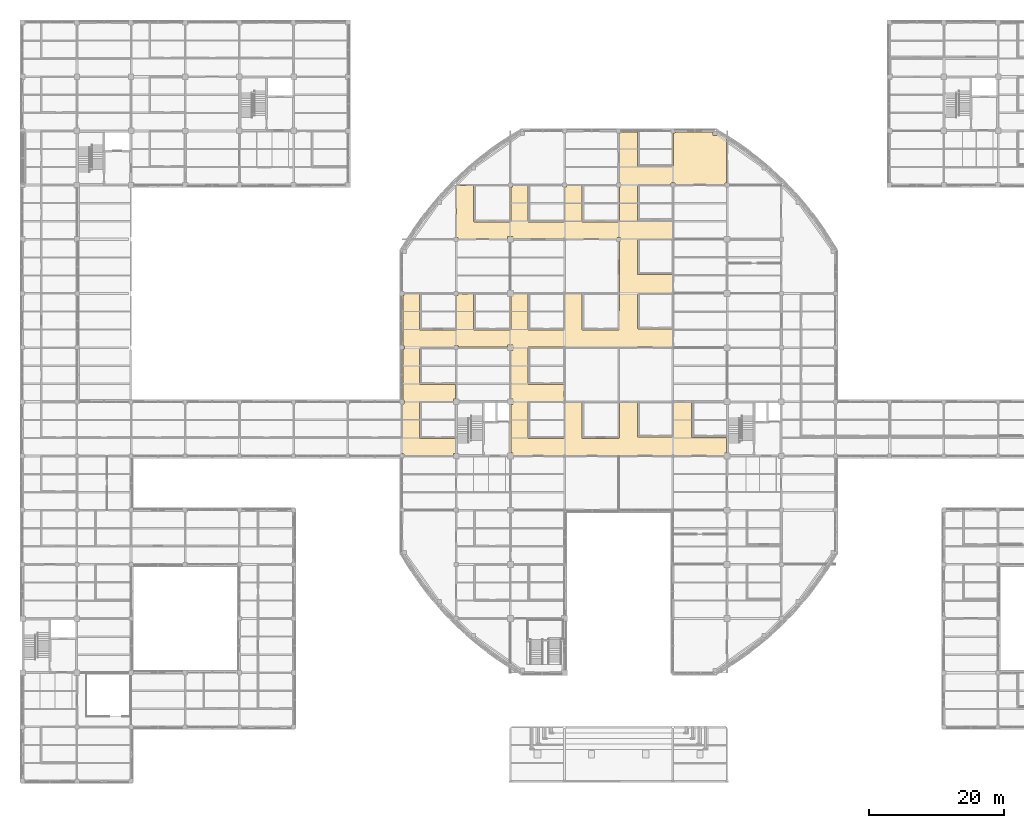
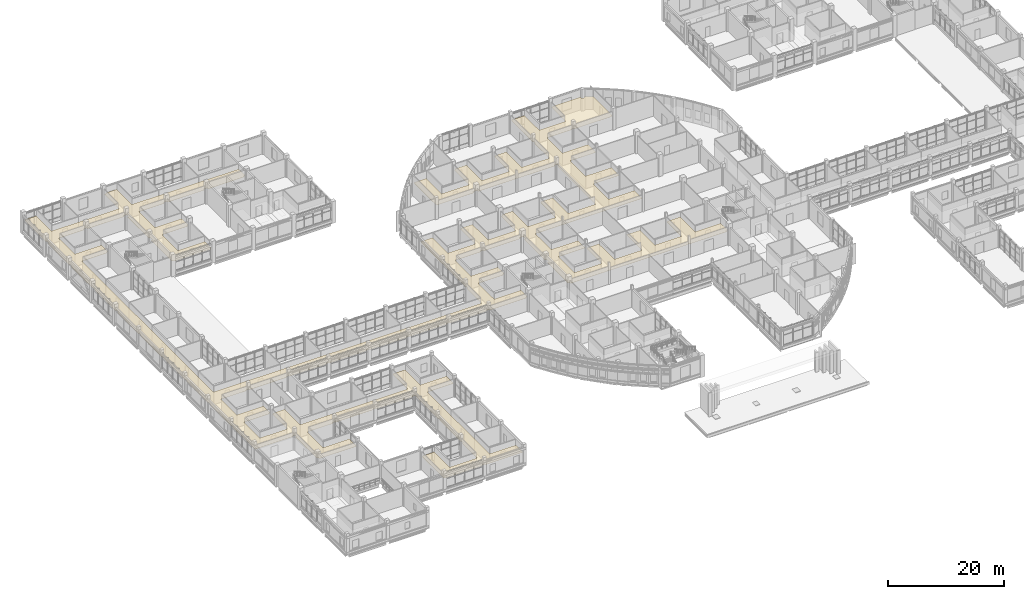
# One storey, part 109 of 121: 1 covering.
"""IFC4 building model written with IfcOpenShell, lengths in metres."""

from ifc_helpers import new_model, si_unit, derived_unit, direction, frame, origin, place, context, subcontext, project, spatial, polyline, outline, extrude, material, layer, layer_set, type_object, element, save


model = new_model("IFC4")

# Units and contexts
model_context = context("Model", 3, precision=1e-05, world=origin(), true_north=direction((0.0, 1.0)))
body_context = subcontext(model_context, "Body", "Model", "MODEL_VIEW")
ifc_project = project(units=[si_unit("LENGTHUNIT", "METRE"), si_unit("AREAUNIT", "SQUARE_METRE"), si_unit("VOLUMEUNIT", "CUBIC_METRE"), si_unit("PLANEANGLEUNIT", "RADIAN"), si_unit("MASSUNIT", "GRAM", prefix="KILO"), derived_unit("THERMALTRANSMITTANCEUNIT", [(si_unit("MASSUNIT", "GRAM", prefix="KILO"), 1), (si_unit("TIMEUNIT", "SECOND"), -3), (si_unit("THERMODYNAMICTEMPERATUREUNIT", "KELVIN"), -1)])], contexts=[model_context])

# Site, building, storey
site_placement = place(None, origin())
site = spatial("IfcSite", under=ifc_project, at=site_placement, CompositionType="ELEMENT")
building_placement = place(site_placement, origin())
building = spatial("IfcBuilding", under=site, at=building_placement, Name="Veyamyaing Civic Hall", CompositionType="ELEMENT")
storey_placement = place(building_placement, frame((0.0, 0.0, 5.280029296875)))
storey = spatial("IfcBuildingStorey", under=building, at=storey_placement, Name="L01", CompositionType="ELEMENT", Elevation=5.280029296875)

# Covering
ifc_material = material(Name="Perforated acoustic gypsum ceiling board")
ifc_layer = layer(ifc_material, 0.02490234375, Name="Perforated acoustic gypsum ceiling board")
ifc_layer_set = layer_set([ifc_layer], Name="Perforated acoustic gypsum ceiling board")
covering_type = type_object("IfcCoveringType", Name="CLG-01", PredefinedType="CEILING", material=ifc_layer_set)
covering_placement = place(storey_placement, frame((0.0, 0.0, 2.699951171875)))
element("IfcCovering", 1, at=covering_placement, inside=storey, type_object=covering_type, Name="Acoustic suspended ceiling CLG-01 L01-C01", PredefinedType="CEILING", context=body_context, shape_type="SweptSolid", body=[
    extrude(outline(polyline([(2.6083984375, 40.06201171875), (2.59228515625, 40.04736328125), (2.581298828125, 40.029296875), (2.574951171875, 39.99755859375), (2.574951171875, 34.652587890625), (2.581298828125, 34.62158203125), (2.597412109375, 34.597412109375), (2.62158203125, 34.581298828125), (2.652587890625, 34.574951171875), (7.99755859375, 34.574951171875), (8.028564453125, 34.581298828125), (8.052734375, 34.597412109375), (8.06884765625, 34.62158203125), (8.074951171875, 34.652587890625), (8.074951171875, 39.715087890625), (8.284912109375, 39.715087890625), (8.284912109375, 39.925048828125), (10.574951171875, 39.925048828125), (10.574951171875, 34.652587890625), (10.581298828125, 34.620849609375), (10.59228515625, 34.6025390625), (10.60791015625, 34.58837890625), (10.635498046875, 34.576904296875), (32.014404296875, 34.576904296875), (32.0419921875, 34.58837890625), (32.057373046875, 34.602294921875), (32.071533203125, 34.62890625), (32.074951171875, 34.65185546875), (32.074951171875, 39.715087890625), (32.284912109375, 39.715087890625), (32.284912109375, 39.844970703125), (34.574951171875, 39.844970703125), (34.574951171875, 34.652587890625), (34.581298828125, 34.62158203125), (34.597412109375, 34.597412109375), (34.62158203125, 34.581298828125), (34.652587890625, 34.574951171875), (39.844970703125, 34.574951171875), (39.844970703125, 32.284912109375), (39.715087890625, 32.284912109375), (39.715087890625, 32.074951171875), (34.65185546875, 32.074951171875), (34.62890625, 32.071533203125), (34.602294921875, 32.057373046875), (34.58837890625, 32.0419921875), (34.576904296875, 32.014404296875), (34.576904296875, 10.635498046875), (34.58837890625, 10.60791015625), (34.6025390625, 10.59228515625), (34.620849609375, 10.581298828125), (34.652587890625, 10.574951171875), (39.844970703125, 10.574951171875), (39.844970703125, 8.284912109375), (39.715087890625, 8.284912109375), (39.715087890625, 8.155029296875), (32.284912109375, 8.155029296875), (32.284912109375, 8.284912109375), (31.715087890625, 8.284912109375), (31.715087890625, 8.155029296875), (24.284912109375, 8.155029296875), (24.284912109375, 8.284912109375), (24.074951171875, 8.284912109375), (24.074951171875, 15.715087890625), (24.284912109375, 15.715087890625), (24.284912109375, 15.844970703125), (26.574951171875, 15.844970703125), (26.574951171875, 10.65185546875), (26.57861328125, 10.627685546875), (26.583984375, 10.61474609375), (26.591796875, 10.60302734375), (26.6083984375, 10.587890625), (26.62841796875, 10.57861328125), (26.65185546875, 10.574951171875), (31.99755859375, 10.574951171875), (32.029296875, 10.581298828125), (32.04736328125, 10.59228515625), (32.06201171875, 10.6083984375), (32.071533203125, 10.62841796875), (32.074951171875, 10.65185546875), (32.074951171875, 15.715087890625), (32.284912109375, 15.715087890625), (32.284912109375, 16.284912109375), (32.155029296875, 16.284912109375), (32.155029296875, 23.715087890625), (32.284912109375, 23.715087890625), (32.284912109375, 24.284912109375), (32.155029296875, 24.284912109375), (32.155029296875, 31.715087890625), (32.284912109375, 31.715087890625), (32.284912109375, 32.284912109375), (31.715087890625, 32.284912109375), (31.715087890625, 32.155029296875), (24.284912109375, 32.155029296875), (24.284912109375, 32.284912109375), (23.715087890625, 32.284912109375), (23.715087890625, 32.155029296875), (16.284912109375, 32.155029296875), (16.284912109375, 32.284912109375), (15.715087890625, 32.284912109375), (15.715087890625, 32.074951171875), (10.65185546875, 32.074951171875), (10.62841796875, 32.071533203125), (10.60791015625, 32.061767578125), (10.597412109375, 32.05322265625), (10.583984375, 32.03515625), (10.576416015625, 32.013916015625), (10.574951171875, 31.998779296875), (10.574951171875, 26.65185546875), (10.57861328125, 26.62841796875), (10.587890625, 26.6083984375), (10.60302734375, 26.591796875), (10.61474609375, 26.583984375), (10.627685546875, 26.57861328125), (10.65185546875, 26.574951171875), (15.844970703125, 26.574951171875), (15.844970703125, 24.284912109375), (15.715087890625, 24.284912109375), (15.715087890625, 24.074951171875), (8.385009765625, 24.074951171875), (8.385009765625, 24.385009765625), (8.074951171875, 24.385009765625), (8.074951171875, 31.715087890625), (8.284912109375, 31.715087890625), (8.284912109375, 32.284912109375), (7.715087890625, 32.284912109375), (7.715087890625, 32.074951171875), (0.284912109375, 32.074951171875), (0.284912109375, 32.284912109375), (0.155029296875, 32.284912109375), (0.155029296875, 39.715087890625), (0.284912109375, 39.715087890625), (0.284912109375, 40.284912109375), (0.155029296875, 40.284912109375), (0.155029296875, 47.715087890625), (0.284912109375, 47.715087890625), (0.284912109375, 48.284912109375), (0.155029296875, 48.284912109375), (0.155029296875, 55.715087890625), (0.284912109375, 55.715087890625), (0.284912109375, 56.284912109375), (0.155029296875, 56.284912109375), (0.155029296875, 63.715087890625), (0.284912109375, 63.715087890625), (0.284912109375, 64.284912109375), (0.155029296875, 64.284912109375), (0.155029296875, 71.715087890625), (0.284912109375, 71.715087890625), (0.284912109375, 72.284912109375), (0.155029296875, 72.284912109375), (0.155029296875, 79.639892578125), (0.360107421875, 79.639892578125), (0.360107421875, 80.360107421875), (0.155029296875, 80.360107421875), (0.155029296875, 87.639892578125), (0.360107421875, 87.639892578125), (0.360107421875, 88.360107421875), (0.155029296875, 88.360107421875), (0.155029296875, 95.639892578125), (0.360107421875, 95.639892578125), (0.360107421875, 96.360107421875), (0.155029296875, 96.360107421875), (0.155029296875, 103.639892578125), (0.360107421875, 103.639892578125), (0.360107421875, 104.360107421875), (0.155029296875, 104.360107421875), (0.155029296875, 111.639892578125), (0.360107421875, 111.639892578125), (0.360107421875, 111.844970703125), (2.574951171875, 111.844970703125), (2.574951171875, 106.652587890625), (2.581298828125, 106.62158203125), (2.597412109375, 106.597412109375), (2.6220703125, 106.580810546875), (2.643310546875, 106.575439453125), (15.998291015625, 106.574951171875), (16.021728515625, 106.57861328125), (16.04150390625, 106.587890625), (16.057373046875, 106.602294921875), (16.071533203125, 106.62890625), (16.074951171875, 106.65185546875), (16.074951171875, 111.639892578125), (16.360107421875, 111.639892578125), (16.360107421875, 111.844970703125), (18.574951171875, 111.844970703125), (18.574951171875, 106.65185546875), (18.578369140625, 106.62890625), (18.5927734375, 106.602294921875), (18.60791015625, 106.58837890625), (18.635498046875, 106.576904296875), (39.925048828125, 106.574951171875), (39.925048828125, 104.385009765625), (39.614990234375, 104.385009765625), (39.614990234375, 104.074951171875), (32.385009765625, 104.074951171875), (32.385009765625, 104.385009765625), (31.614990234375, 104.385009765625), (31.614990234375, 104.074951171875), (24.360107421875, 104.074951171875), (24.360107421875, 104.360107421875), (23.639892578125, 104.360107421875), (23.639892578125, 104.074951171875), (18.652587890625, 104.074951171875), (18.6201171875, 104.068603515625), (18.5927734375, 104.0478515625), (18.578369140625, 104.02099609375), (18.574951171875, 103.998291015625), (18.574951171875, 98.65185546875), (18.57861328125, 98.62841796875), (18.588134765625, 98.60791015625), (18.5966796875, 98.597412109375), (18.615234375, 98.583740234375), (18.627685546875, 98.57861328125), (18.65185546875, 98.574951171875), (23.925048828125, 98.574951171875), (23.925048828125, 96.360107421875), (23.639892578125, 96.360107421875), (23.639892578125, 96.074951171875), (18.652587890625, 96.074951171875), (18.62158203125, 96.06884765625), (18.597412109375, 96.052734375), (18.581298828125, 96.028564453125), (18.574951171875, 95.99755859375), (18.574951171875, 90.65185546875), (18.578369140625, 90.62890625), (18.5927734375, 90.602294921875), (18.6083984375, 90.587890625), (18.62841796875, 90.57861328125), (18.65185546875, 90.574951171875), (23.925048828125, 90.574951171875), (23.925048828125, 88.360107421875), (23.639892578125, 88.360107421875), (23.639892578125, 88.155029296875), (16.385009765625, 88.155029296875), (16.385009765625, 88.385009765625), (16.074951171875, 88.385009765625), (16.074951171875, 95.614990234375), (16.385009765625, 95.614990234375), (16.385009765625, 96.385009765625), (16.074951171875, 96.385009765625), (16.074951171875, 103.639892578125), (16.360107421875, 103.639892578125), (16.360107421875, 104.360107421875), (15.639892578125, 104.360107421875), (15.639892578125, 104.074951171875), (8.360107421875, 104.074951171875), (8.360107421875, 104.360107421875), (7.639892578125, 104.360107421875), (7.639892578125, 104.074951171875), (2.65185546875, 104.074951171875), (2.627685546875, 104.0712890625), (2.615234375, 104.06640625), (2.5966796875, 104.052490234375), (2.588134765625, 104.0419921875), (2.57861328125, 104.021728515625), (2.574951171875, 103.998291015625), (2.574951171875, 98.652587890625), (2.581298828125, 98.62158203125), (2.597412109375, 98.597412109375), (2.62158203125, 98.581298828125), (2.652587890625, 98.574951171875), (7.925048828125, 98.574951171875), (7.925048828125, 96.385009765625), (7.614990234375, 96.385009765625), (7.614990234375, 96.074951171875), (2.652587890625, 96.074951171875), (2.62158203125, 96.06884765625), (2.597412109375, 96.052734375), (2.580810546875, 96.028076171875), (2.575439453125, 96.006591796875), (2.574951171875, 50.652587890625), (2.581298828125, 50.620849609375), (2.59228515625, 50.6025390625), (2.60791015625, 50.58837890625), (2.635498046875, 50.576904296875), (55.99755859375, 50.574951171875), (56.029296875, 50.581298828125), (56.04736328125, 50.59228515625), (56.06201171875, 50.6083984375), (56.071533203125, 50.62841796875), (56.074951171875, 50.65185546875), (56.074951171875, 55.715087890625), (56.284912109375, 55.715087890625), (56.284912109375, 56.284912109375), (56.155029296875, 56.284912109375), (56.155029296875, 63.715087890625), (56.284912109375, 63.715087890625), (56.284912109375, 64.284912109375), (56.155029296875, 64.284912109375), (56.155029296875, 71.715087890625), (56.284912109375, 71.715087890625), (56.284912109375, 71.925048828125), (58.574951171875, 71.925048828125), (58.574951171875, 66.65185546875), (58.578369140625, 66.62890625), (58.59228515625, 66.602783203125), (58.615478515625, 66.583984375), (58.635009765625, 66.576904296875), (63.99755859375, 66.574951171875), (64.028564453125, 66.581298828125), (64.052734375, 66.597412109375), (64.06884765625, 66.62158203125), (64.074951171875, 66.652587890625), (64.074951171875, 71.715087890625), (64.284912109375, 71.715087890625), (64.284912109375, 71.925048828125), (66.574951171875, 71.925048828125), (66.574951171875, 66.65185546875), (66.578369140625, 66.62890625), (66.5927734375, 66.602294921875), (66.60791015625, 66.58837890625), (66.635498046875, 66.576904296875), (71.99755859375, 66.574951171875), (72.028564453125, 66.581298828125), (72.052734375, 66.597412109375), (72.06884765625, 66.62158203125), (72.074951171875, 66.652587890625), (72.074951171875, 71.590087890625), (72.409912109375, 71.590087890625), (72.409912109375, 71.925048828125), (74.574951171875, 71.925048828125), (74.574951171875, 66.65185546875), (74.57861328125, 66.62841796875), (74.587646484375, 66.60888671875), (74.60888671875, 66.587646484375), (74.62841796875, 66.57861328125), (74.65185546875, 66.574951171875), (79.99755859375, 66.574951171875), (80.028564453125, 66.581298828125), (80.052734375, 66.597412109375), (80.06884765625, 66.62158203125), (80.074951171875, 66.652587890625), (80.074951171875, 71.8291015625), (80.172119140625, 71.8291015625), (80.172119140625, 71.925048828125), (82.574951171875, 71.925048828125), (82.574951171875, 66.65185546875), (82.57861328125, 66.627685546875), (82.583740234375, 66.615234375), (82.597412109375, 66.5966796875), (82.60791015625, 66.588134765625), (82.62841796875, 66.57861328125), (82.65185546875, 66.574951171875), (87.998291015625, 66.574951171875), (88.02099609375, 66.578369140625), (88.0478515625, 66.5927734375), (88.061767578125, 66.60791015625), (88.072998046875, 66.635498046875), (88.074951171875, 79.715087890625), (88.284912109375, 79.715087890625), (88.284912109375, 80.284912109375), (87.715087890625, 80.284912109375), (87.715087890625, 80.074951171875), (80.172119140625, 80.074951171875), (80.172119140625, 80.1708984375), (79.827880859375, 80.1708984375), (79.827880859375, 80.074951171875), (72.409912109375, 80.074951171875), (72.409912109375, 80.409912109375), (71.590087890625, 80.409912109375), (71.590087890625, 80.074951171875), (64.284912109375, 80.074951171875), (64.284912109375, 80.284912109375), (64.074951171875, 80.284912109375), (64.074951171875, 87.862060546875), (64.109619140625, 87.890380859375), (64.137939453125, 87.925048828125), (66.574951171875, 87.925048828125), (66.574951171875, 82.65185546875), (66.578369140625, 82.62890625), (66.5927734375, 82.602294921875), (66.60791015625, 82.58837890625), (66.635498046875, 82.576904296875), (71.99755859375, 82.574951171875), (72.028564453125, 82.581298828125), (72.052734375, 82.597412109375), (72.06884765625, 82.62158203125), (72.074951171875, 82.652587890625), (72.074951171875, 87.715087890625), (72.284912109375, 87.715087890625), (72.284912109375, 87.925048828125), (74.574951171875, 87.925048828125), (74.574951171875, 82.65185546875), (74.57861328125, 82.62841796875), (74.587646484375, 82.60888671875), (74.60888671875, 82.587646484375), (74.62841796875, 82.57861328125), (74.65185546875, 82.574951171875), (79.998291015625, 82.574951171875), (80.021728515625, 82.57861328125), (80.0419921875, 82.588134765625), (80.052490234375, 82.5966796875), (80.06640625, 82.615234375), (80.0712890625, 82.627685546875), (80.074951171875, 82.65185546875), (80.074951171875, 87.715087890625), (80.284912109375, 87.715087890625), (80.284912109375, 87.925048828125), (82.574951171875, 87.925048828125), (82.574951171875, 82.652587890625), (82.581298828125, 82.62158203125), (82.597412109375, 82.597412109375), (82.62158203125, 82.581298828125), (82.652587890625, 82.574951171875), (88.014404296875, 82.576904296875), (88.0419921875, 82.58837890625), (88.057373046875, 82.602294921875), (88.071533203125, 82.62890625), (88.074951171875, 82.65185546875), (88.074951171875, 87.715087890625), (88.284912109375, 87.715087890625), (88.284912109375, 88.284912109375), (88.074951171875, 88.284912109375), (88.074951171875, 95.715087890625), (88.284912109375, 95.715087890625), (88.284912109375, 95.844970703125), (90.77490234375, 95.844970703125), (90.77490234375, 90.8525390625), (90.78125, 90.821533203125), (90.79736328125, 90.79736328125), (90.822021484375, 90.78076171875), (90.84326171875, 90.775390625), (95.99755859375, 90.77490234375), (96.028564453125, 90.78125), (96.052734375, 90.79736328125), (96.06884765625, 90.821533203125), (96.074951171875, 90.8525390625), (96.074951171875, 95.715087890625), (96.284912109375, 95.715087890625), (96.284912109375, 95.844970703125), (101.935791015625, 95.844970703125), (101.935791015625, 95.351318359375), (102.505859375, 95.351318359375), (102.505859375, 95.77392578125), (103.925048828125, 94.917236328125), (103.925048828125, 88.284912109375), (103.715087890625, 88.284912109375), (103.715087890625, 88.074951171875), (96.284912109375, 88.074951171875), (96.284912109375, 88.284912109375), (95.715087890625, 88.284912109375), (95.715087890625, 88.074951171875), (90.851806640625, 88.074951171875), (90.828369140625, 88.071533203125), (90.80908203125, 88.0625), (90.78759765625, 88.041015625), (90.778564453125, 88.021728515625), (90.77490234375, 87.998291015625), (90.77490234375, 82.8525390625), (90.78125, 82.821533203125), (90.79736328125, 82.79736328125), (90.821533203125, 82.78125), (90.8525390625, 82.77490234375), (95.925048828125, 82.77490234375), (95.925048828125, 80.1708984375), (95.827880859375, 80.1708984375), (95.827880859375, 80.074951171875), (90.851806640625, 80.074951171875), (90.82763671875, 80.0712890625), (90.815185546875, 80.06640625), (90.796630859375, 80.052490234375), (90.7880859375, 80.0419921875), (90.778564453125, 80.021728515625), (90.77490234375, 79.998291015625), (90.77490234375, 74.851806640625), (90.778564453125, 74.828369140625), (90.78759765625, 74.80908203125), (90.80908203125, 74.78759765625), (90.828369140625, 74.778564453125), (90.851806640625, 74.77490234375), (95.925048828125, 74.77490234375), (95.925048828125, 72.1708984375), (95.827880859375, 72.1708984375), (95.827880859375, 72.074951171875), (90.8525390625, 72.074951171875), (90.821533203125, 72.06884765625), (90.79736328125, 72.052734375), (90.78125, 72.028564453125), (90.77490234375, 71.99755859375), (90.77685546875, 66.83544921875), (90.788330078125, 66.80810546875), (90.80224609375, 66.792724609375), (90.8291015625, 66.7783203125), (90.851806640625, 66.77490234375), (95.925048828125, 66.77490234375), (95.925048828125, 64.1708984375), (95.827880859375, 64.1708984375), (95.827880859375, 64.074951171875), (80.172119140625, 64.074951171875), (80.172119140625, 64.1708984375), (79.827880859375, 64.1708984375), (79.827880859375, 64.074951171875), (74.652587890625, 64.074951171875), (74.62158203125, 64.06884765625), (74.597412109375, 64.052734375), (74.581298828125, 64.028564453125), (74.574951171875, 63.99755859375), (74.574951171875, 58.652587890625), (74.581298828125, 58.62158203125), (74.597412109375, 58.597412109375), (74.62158203125, 58.581298828125), (74.652587890625, 58.574951171875), (79.925048828125, 58.574951171875), (79.925048828125, 56.1708984375), (79.827880859375, 56.1708984375), (79.827880859375, 56.074951171875), (74.65185546875, 56.074951171875), (74.627685546875, 56.0712890625), (74.615234375, 56.06640625), (74.5966796875, 56.052490234375), (74.588134765625, 56.0419921875), (74.57861328125, 56.021728515625), (74.574951171875, 55.998291015625), (74.574951171875, 50.65185546875), (74.57861328125, 50.62841796875), (74.588134765625, 50.60791015625), (74.5966796875, 50.597412109375), (74.615234375, 50.583740234375), (74.627685546875, 50.57861328125), (74.65185546875, 50.574951171875), (79.99755859375, 50.574951171875), (80.028564453125, 50.581298828125), (80.052734375, 50.597412109375), (80.06884765625, 50.62158203125), (80.074951171875, 50.652587890625), (80.074951171875, 55.8291015625), (80.172119140625, 55.8291015625), (80.172119140625, 55.925048828125), (82.574951171875, 55.925048828125), (82.574951171875, 50.65185546875), (82.57861328125, 50.62841796875), (82.587890625, 50.6083984375), (82.602294921875, 50.5927734375), (82.62890625, 50.578369140625), (82.65185546875, 50.574951171875), (87.99755859375, 50.574951171875), (88.028564453125, 50.581298828125), (88.052734375, 50.597412109375), (88.06884765625, 50.62158203125), (88.074951171875, 50.652587890625), (88.074951171875, 55.925048828125), (90.77490234375, 55.925048828125), (90.77490234375, 50.851806640625), (90.778564453125, 50.82763671875), (90.78369140625, 50.815185546875), (90.797607421875, 50.796630859375), (90.807861328125, 50.7880859375), (90.828369140625, 50.778564453125), (90.851806640625, 50.77490234375), (96.014404296875, 50.77685546875), (96.0419921875, 50.788330078125), (96.057861328125, 50.802490234375), (96.068603515625, 50.82080078125), (96.074951171875, 50.8525390625), (96.074951171875, 55.8291015625), (96.172119140625, 55.8291015625), (96.172119140625, 55.925048828125), (98.77490234375, 55.925048828125), (98.77490234375, 50.851806640625), (98.778564453125, 50.828369140625), (98.7880859375, 50.807861328125), (98.796630859375, 50.797607421875), (98.815185546875, 50.78369140625), (98.82763671875, 50.778564453125), (98.851806640625, 50.77490234375), (103.925048828125, 50.77490234375), (103.925048828125, 48.409912109375), (103.590087890625, 48.409912109375), (103.590087890625, 48.074951171875), (96.172119140625, 48.074951171875), (96.172119140625, 48.1708984375), (95.827880859375, 48.1708984375), (95.827880859375, 48.074951171875), (80.172119140625, 48.074951171875), (80.172119140625, 48.1708984375), (79.827880859375, 48.1708984375), (79.827880859375, 48.074951171875), (72.409912109375, 48.074951171875), (72.409912109375, 48.409912109375), (72.074951171875, 48.409912109375), (72.074951171875, 55.590087890625), (72.409912109375, 55.590087890625), (72.409912109375, 56.409912109375), (72.074951171875, 56.409912109375), (72.074951171875, 63.590087890625), (72.409912109375, 63.590087890625), (72.409912109375, 64.409912109375), (71.590087890625, 64.409912109375), (71.590087890625, 64.074951171875), (64.284912109375, 64.074951171875), (64.284912109375, 64.284912109375), (63.715087890625, 64.284912109375), (63.715087890625, 64.074951171875), (58.643310546875, 64.074462890625), (58.6220703125, 64.069091796875), (58.597412109375, 64.052734375), (58.581298828125, 64.028564453125), (58.574951171875, 63.99755859375), (58.574951171875, 58.65185546875), (58.57861328125, 58.62841796875), (58.588134765625, 58.60791015625), (58.5966796875, 58.597412109375), (58.615234375, 58.583740234375), (58.627685546875, 58.57861328125), (58.65185546875, 58.574951171875), (63.925048828125, 58.574951171875), (63.925048828125, 56.385009765625), (63.614990234375, 56.385009765625), (63.614990234375, 56.074951171875), (58.652587890625, 56.074951171875), (58.62158203125, 56.06884765625), (58.597412109375, 56.052734375), (58.581298828125, 56.028564453125), (58.574951171875, 55.99755859375), (58.574951171875, 50.65185546875), (58.57861328125, 50.62841796875), (58.587890625, 50.6083984375), (58.602294921875, 50.5927734375), (58.62890625, 50.578369140625), (58.65185546875, 50.574951171875), (63.925048828125, 50.574951171875), (63.925048828125, 48.385009765625), (63.614990234375, 48.385009765625), (63.614990234375, 48.074951171875), (56.284912109375, 48.074951171875), (56.284912109375, 48.284912109375), (55.715087890625, 48.284912109375), (55.715087890625, 48.155029296875), (48.284912109375, 48.155029296875), (48.284912109375, 48.284912109375), (47.715087890625, 48.284912109375), (47.715087890625, 48.155029296875), (40.284912109375, 48.155029296875), (40.284912109375, 48.284912109375), (39.715087890625, 48.284912109375), (39.715087890625, 48.155029296875), (32.284912109375, 48.155029296875), (32.284912109375, 48.284912109375), (31.715087890625, 48.284912109375), (31.715087890625, 48.155029296875), (24.284912109375, 48.155029296875), (24.284912109375, 48.284912109375), (23.715087890625, 48.284912109375), (23.715087890625, 48.155029296875), (16.284912109375, 48.155029296875), (16.284912109375, 48.284912109375), (15.715087890625, 48.284912109375), (15.715087890625, 48.074951171875), (8.284912109375, 48.074951171875), (8.284912109375, 48.284912109375), (7.715087890625, 48.284912109375), (7.715087890625, 48.074951171875), (2.643798828125, 48.074462890625), (2.6142578125, 48.0654296875), (2.59765625, 48.05322265625), (2.581298828125, 48.028564453125), (2.574951171875, 47.99755859375), (2.574951171875, 42.65185546875), (2.57861328125, 42.62841796875), (2.587890625, 42.6083984375), (2.60302734375, 42.591796875), (2.61474609375, 42.583984375), (2.627685546875, 42.57861328125), (2.65185546875, 42.574951171875), (7.925048828125, 42.574951171875), (7.925048828125, 40.284912109375), (7.715087890625, 40.284912109375), (7.715087890625, 40.074951171875), (2.65185546875, 40.074951171875), (2.62841796875, 40.071533203125), (2.6083984375, 40.06201171875)])), origin(), (0.0, 0.0, 1.0), 0.02490234375),
])

save(model, "model.ifc")
